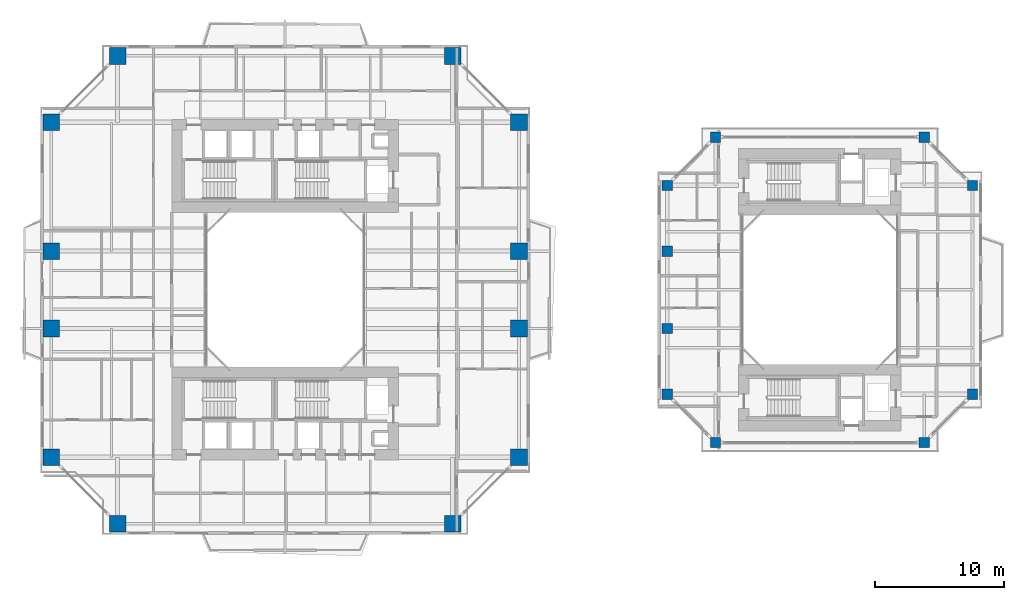
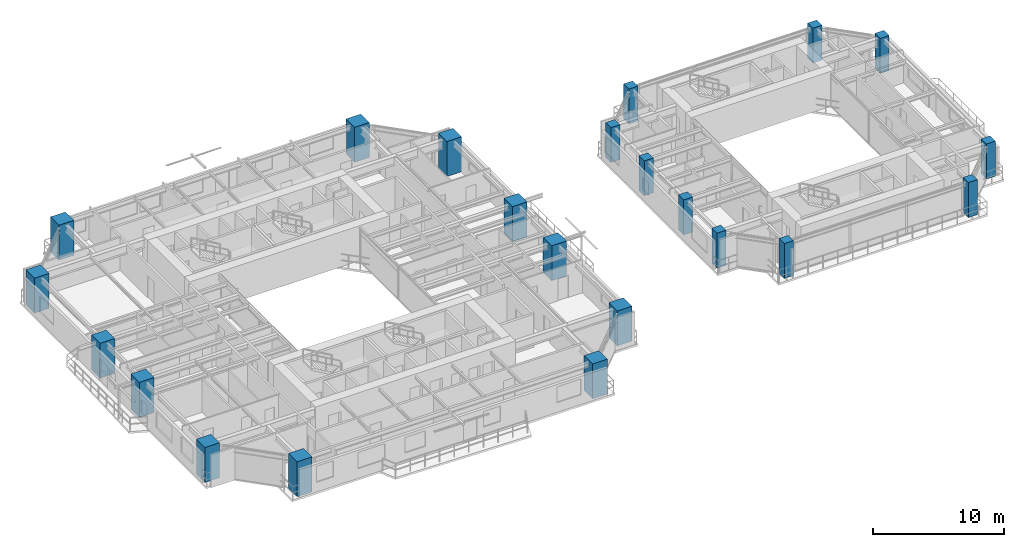
# One storey, part 1 of 23: 22 columns.
"""IFC4 building model written with IfcOpenShell, lengths in metres."""

from ifc_helpers import new_model, si_unit, direction, frame, origin, origin_2d, place, context, subcontext, project, spatial, rectangle, extrude, source, transform, mapped, material, material_profile, profile_set, type_object, element, save


model = new_model("IFC4")

# Units and contexts
model_context = context("Model", 3, precision=1e-05, world=origin(), true_north=direction((0.0, 1.0)))
body_context = subcontext(model_context, "Body", "Model", "MODEL_VIEW")
ifc_project = project(units=[si_unit("LENGTHUNIT", "METRE"), si_unit("AREAUNIT", "SQUARE_METRE"), si_unit("VOLUMEUNIT", "CUBIC_METRE"), si_unit("PLANEANGLEUNIT", "RADIAN"), si_unit("MASSUNIT", "GRAM", prefix="KILO"), si_unit("THERMODYNAMICTEMPERATUREUNIT", "KELVIN"), si_unit("POWERUNIT", "WATT")], contexts=[model_context])

# Site, building, storey
site_placement = place(None, origin())
site = spatial("IfcSite", under=ifc_project, at=site_placement, CompositionType="ELEMENT")
building_placement = place(site_placement, origin())
building = spatial("IfcBuilding", under=site, at=building_placement, Name="Qiaomeng Ring Towers", CompositionType="ELEMENT")
storey_placement = place(building_placement, frame((0.0, 0.0, 76.25)))
storey = spatial("IfcBuildingStorey", under=building, at=storey_placement, Name="L21", CompositionType="ELEMENT", Elevation=76.25)

# Columns
ifc_material_1 = material(Name="Concrete C60", Category="concrete")
ifc_material_profile_1 = material_profile(ifc_material_1, rectangle(XDim=1.300048828125, YDim=1.300048828125, at=origin_2d()), Name="RC COL 1300x1300")
ifc_profile_set_1 = profile_set([ifc_material_profile_1], Name="Concrete C60")
column_type_1 = type_object("IfcColumnType", Name="STR-COL-1300", PredefinedType="COLUMN", material=ifc_profile_set_1)
shared_shape_1 = source(origin(), body_context, "Body", "SweptSolid", [
    extrude(rectangle(XDim=1.300048828125, YDim=1.300048828125, at=origin_2d()), origin(), (0.0, 0.0, 1.0), 3.25),
])
for number, where, z_axis, x_axis, name in (
    (1, (6.0, 4.85009765625, 0.0), (0.0, 0.0, 1.0), (1.0, 0.0, 0.0), "L21 column STR-COL-L21-T1-S1"),
    (2, (32.0, 4.85009765625, 0.0), (0.0, 0.0, 1.0), (1.0, 0.0, 0.0), "L21 column STR-COL-L21-T1-S2"),
    (3, (37.14990234375, 10.0, 0.0), (0.0, 0.0, 1.0), (1.0, 0.0, 0.0), "L21 column STR-COL-L21-T1-E1"),
    (4, (37.14990234375, 20.0, 0.0), (0.0, 0.0, 1.0), (1.0, 0.0, 0.0), "L21 column STR-COL-L21-T1-E2"),
    (5, (37.14990234375, 26.0, 0.0), (0.0, 0.0, 1.0), (1.0, 0.0, 0.0), "L21 column STR-COL-L21-T1-E3"),
    (6, (37.14990234375, 36.0, 0.0), (0.0, 0.0, 1.0), (1.0, 0.0, 0.0), "L21 column STR-COL-L21-T1-E4"),
    (7, (32.0, 41.14990234375, 0.0), (0.0, 0.0, 1.0), (1.0, 0.0, 0.0), "L21 column STR-COL-L21-T1-N2"),
    (8, (6.0, 41.14990234375, 0.0), (0.0, 0.0, 1.0), (1.0, 0.0, 0.0), "L21 column STR-COL-L21-T1-N1"),
    (9, (0.85009765625, 36.0, 0.0), (0.0, 0.0, 1.0), (1.0, 0.0, 0.0), "L21 column STR-COL-L21-T1-W4"),
    (10, (0.85009765625, 26.0, 0.0), (0.0, 0.0, 1.0), (1.0, 0.0, 0.0), "L21 column STR-COL-L21-T1-W3"),
    (11, (0.85009765625, 20.0, 0.0), (0.0, 0.0, 1.0), (1.0, 0.0, 0.0), "L21 column STR-COL-L21-T1-W2"),
    (12, (0.85009765625, 10.0, 0.0), (0.0, 0.0, 1.0), (1.0, 0.0, 0.0), "L21 column STR-COL-L21-T1-W1"),
):
    element("IfcColumn", number, at=place(storey_placement, frame(where, z_axis=z_axis, x_axis=x_axis)), inside=storey, type_object=column_type_1, Name=name, PredefinedType="COLUMN", context=body_context, shape_type="MappedRepresentation", body=[
        mapped(shared_shape_1, transform((0.0, 0.0, 0.0), x_axis=(1.0, 0.0, 0.0), y_axis=(0.0, 1.0, 0.0), z_axis=(0.0, 0.0, 1.0), scale=1.0)),
    ])
ifc_material_2 = material(Name="Concrete C55", Category="concrete")
ifc_material_profile_2 = material_profile(ifc_material_2, rectangle(XDim=0.800048828125, YDim=0.800048828125, at=origin_2d()), Name="RC COL 800x800")
ifc_profile_set_2 = profile_set([ifc_material_profile_2], Name="Concrete C55")
column_type_2 = type_object("IfcColumnType", Name="STR-COL-800-C55", PredefinedType="COLUMN", material=ifc_profile_set_2)
shared_shape_2 = source(origin(), body_context, "Body", "SweptSolid", [
    extrude(rectangle(XDim=0.800048828125, YDim=0.800048828125, at=origin_2d()), origin(), (0.0, 0.0, 1.0), 3.25),
])
for number, where, z_axis, x_axis, name in (
    (13, (52.39990234375, 11.14990234375, 0.0), (0.0, 0.0, 1.0), (1.0, 0.0, 0.0), "L21 column STR-COL-L21-T2-S1"),
    (14, (68.60009765625, 11.14990234375, 0.0), (0.0, 0.0, 1.0), (1.0, 0.0, 0.0), "L21 column STR-COL-L21-T2-S2"),
    (15, (72.35009765625, 14.89990234375, 0.0), (0.0, 0.0, 1.0), (1.0, 0.0, 0.0), "L21 column STR-COL-L21-T2-E1"),
    (16, (72.35009765625, 31.10009765625, 0.0), (0.0, 0.0, 1.0), (1.0, 0.0, 0.0), "L21 column STR-COL-L21-T2-E2"),
    (17, (68.60009765625, 34.85009765625, 0.0), (0.0, 0.0, 1.0), (1.0, 0.0, 0.0), "L21 column STR-COL-L21-T2-N2"),
    (18, (52.39990234375, 34.85009765625, 0.0), (0.0, 0.0, 1.0), (1.0, 0.0, 0.0), "L21 column STR-COL-L21-T2-N1"),
    (19, (48.64990234375, 14.89990234375, 0.0), (0.0, 0.0, 1.0), (1.0, 0.0, 0.0), "L21 column STR-COL-L21-T2-W1"),
    (20, (48.64990234375, 20.0, 0.0), (0.0, 0.0, 1.0), (1.0, 0.0, 0.0), "L21 column STR-COL-L21-T2-W2"),
    (21, (48.64990234375, 26.0, 0.0), (0.0, 0.0, 1.0), (1.0, 0.0, 0.0), "L21 column STR-COL-L21-T2-W3"),
    (22, (48.64990234375, 31.10009765625, 0.0), (0.0, 0.0, 1.0), (1.0, 0.0, 0.0), "L21 column STR-COL-L21-T2-W4"),
):
    element("IfcColumn", number, at=place(storey_placement, frame(where, z_axis=z_axis, x_axis=x_axis)), inside=storey, type_object=column_type_2, Name=name, PredefinedType="COLUMN", context=body_context, shape_type="MappedRepresentation", body=[
        mapped(shared_shape_2, transform((0.0, 0.0, 0.0), x_axis=(1.0, 0.0, 0.0), y_axis=(0.0, 1.0, 0.0), z_axis=(0.0, 0.0, 1.0), scale=1.0)),
    ])

save(model, "model.ifc")
